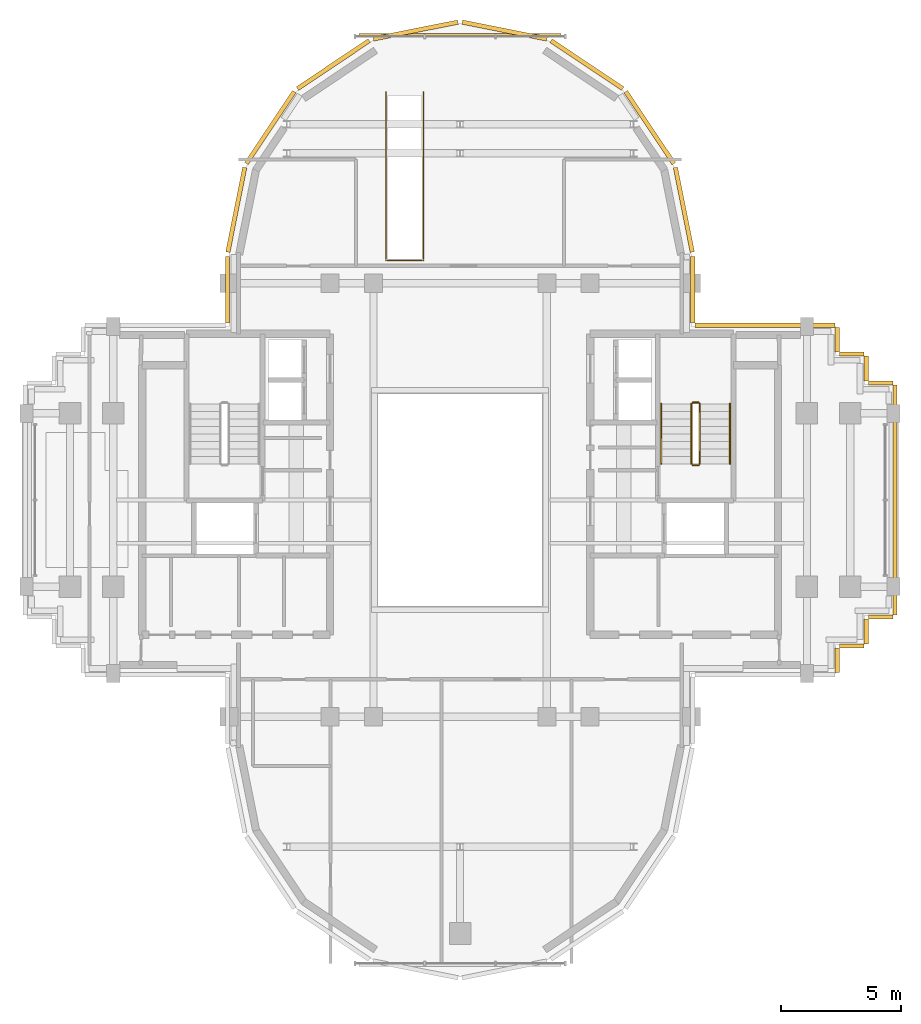
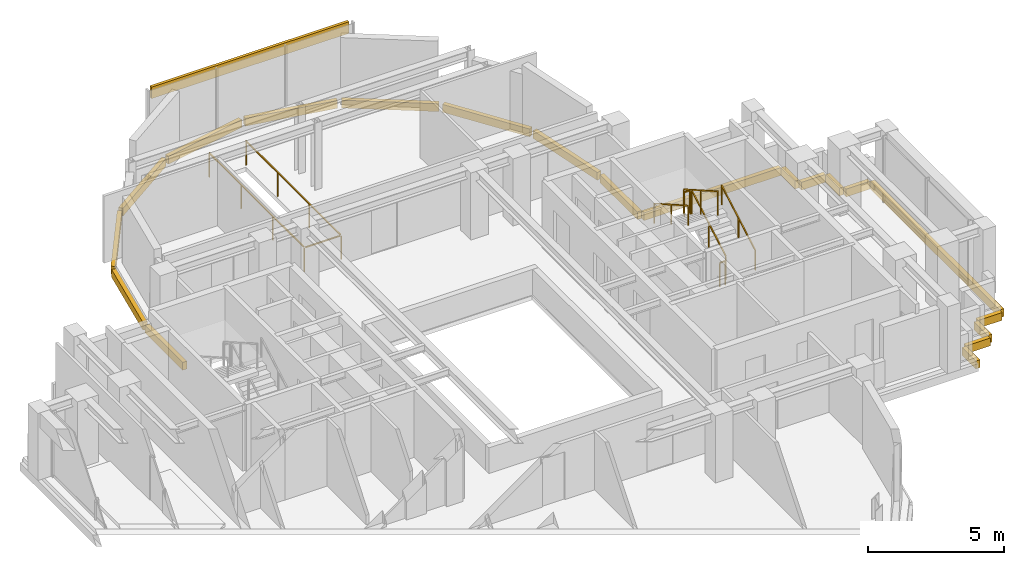
# One storey, part 12 of 12: 21 coverings, 7 railings.
"""IFC4 building model written with IfcOpenShell, lengths in metres."""

import ifcopenshell
import ifcopenshell.guid

model = None  # the IFC model being written
_history = None  # IfcOwnerHistory: only IFC2X3 demands one
_inside = {}  # id of a spatial element -> (the spatial element, [elements in it])
_under = {}  # id of a project, library or spatial element -> (it, [spatial elements below it])
_declared = {}  # id of a project -> (the project, [libraries it declares])
_typed = {}  # id of a type object -> (the type object, [elements of that type])
_made_of = {}  # id of a material, layer set ... -> (it, [elements and type objects made of it])


def new_model(schema):
    """Start an empty IFC model of exactly this schema.

    Asked for "IFC4X3", IfcOpenShell would pick the latest addendum, in which some entities
    have other attributes; the version numbers below select the first issue.
    IFC2X3 requires an IfcOwnerHistory on every rooted entity: one is made here for all.
    """
    global model, _history
    if schema == "IFC4X3":
        model = ifcopenshell.file(schema_version=(4, 3, 0, 0))
    else:
        model = ifcopenshell.file(schema=schema)
    _inside.clear()
    _under.clear()
    _declared.clear()
    _typed.clear()
    _made_of.clear()
    _history = None
    if model.schema == "IFC2X3":
        org = make("IfcOrganization", Name="unknown")
        user = make(
            "IfcPersonAndOrganization",
            ThePerson=make("IfcPerson", FamilyName="unknown"),
            TheOrganization=org,
        )
        app = make(
            "IfcApplication",
            ApplicationDeveloper=org,
            Version="unknown",
            ApplicationFullName="unknown",
            ApplicationIdentifier="unknown",
        )
        _history = make(
            "IfcOwnerHistory",
            OwningUser=user,
            OwningApplication=app,
            ChangeAction="ADDED",
            CreationDate=0,
        )
    return model


def make(cls, **values):
    """One entity of the class cls with the attributes given. An attribute that is None is left unset."""
    return model.create_entity(
        cls, **{name: value for name, value in values.items() if value is not None}
    )


def rooted(cls, **values):
    """An entity with a GlobalId (a new one), such as an element, a storey or a relation."""
    return make(cls, GlobalId=ifcopenshell.guid.new(), OwnerHistory=_history, **values)


def si_unit(unit_type, name, prefix=None):
    """IfcSIUnit, for example si_unit("LENGTHUNIT", "METRE", prefix="MILLI")."""
    return make("IfcSIUnit", UnitType=unit_type, Prefix=prefix, Name=name)


def assignment(units):
    """IfcUnitAssignment: the units of a project."""
    return None if units is None else make("IfcUnitAssignment", Units=units)


def point(xyz):
    """IfcCartesianPoint."""
    return None if xyz is None else make("IfcCartesianPoint", Coordinates=xyz)


def direction(xyz):
    """IfcDirection."""
    return None if xyz is None else make("IfcDirection", DirectionRatios=xyz)


def frame(location, z_axis=None, x_axis=None):
    """IfcAxis2Placement3D, a coordinate frame: its origin and axes. An axis left out is left unset."""
    return make(
        "IfcAxis2Placement3D",
        Location=point(location),
        Axis=direction(z_axis),
        RefDirection=direction(x_axis),
    )


def frame_2d(location, x_axis=None):
    """IfcAxis2Placement2D, a coordinate frame in the plane: its origin and x axis."""
    return make(
        "IfcAxis2Placement2D", Location=point(location), RefDirection=direction(x_axis)
    )


def origin():
    """The frame at (0, 0, 0) with its axes left unset."""
    return frame((0.0, 0.0, 0.0))


def origin_2d():
    """The frame at (0, 0) in the plane with its x axis left unset."""
    return frame_2d((0.0, 0.0))


def place(relative_to, where):
    """IfcLocalPlacement: puts the frame where relative to a parent placement (None: the world)."""
    return make(
        "IfcLocalPlacement", PlacementRelTo=relative_to, RelativePlacement=where
    )


def context(
    kind, dimensions, precision=None, world=None, true_north=None, identifier=None
):
    """IfcGeometricRepresentationContext, for example the 3D "Model" context."""
    return make(
        "IfcGeometricRepresentationContext",
        ContextIdentifier=identifier,
        ContextType=kind,
        CoordinateSpaceDimension=dimensions,
        Precision=precision,
        WorldCoordinateSystem=world,
        TrueNorth=true_north,
    )


def subcontext(parent, identifier, kind, view, scale=None):
    """IfcGeometricRepresentationSubContext, for example "Body" below "Model"."""
    return make(
        "IfcGeometricRepresentationSubContext",
        ContextIdentifier=identifier,
        ContextType=kind,
        ParentContext=parent,
        TargetScale=scale,
        TargetView=view,
    )


def project(units=None, contexts=None):
    """IfcProject with its units and contexts."""
    return rooted(
        "IfcProject",
        Name="project",
        RepresentationContexts=contexts,
        UnitsInContext=assignment(units),
    )


def spatial(cls, under=None, at=None, **own):
    """A site, building, storey or space (cls), placed at a placement, below another one or the project."""
    s = rooted(cls, ObjectPlacement=at, **own)
    if under is not None:
        _under.setdefault(under.id(), (under, []))[1].append(s)
    return s


def profile(cls, at=None, kind="AREA", **sizes):
    """A parametric profile (cls). Its sizes go by their IFC names, for example OverallWidth=200.0."""
    return make(cls, ProfileType=kind, Position=at, **sizes)


def rectangle(**sizes):
    """IfcRectangleProfileDef."""
    return profile("IfcRectangleProfileDef", **sizes)


def extrude(swept, where, along, depth):
    """IfcExtrudedAreaSolid: the profile swept, set in the frame where, extruded along a direction by depth."""
    return make(
        "IfcExtrudedAreaSolid",
        SweptArea=swept,
        Position=where,
        ExtrudedDirection=direction(along),
        Depth=depth,
    )


def shape(context_of_items, identifier, shape_type, items):
    """IfcShapeRepresentation: the items that make up one representation, for example the "Body"."""
    return make(
        "IfcShapeRepresentation",
        ContextOfItems=context_of_items,
        RepresentationIdentifier=identifier,
        RepresentationType=shape_type,
        Items=items,
    )


def source(mapping_origin, context_of_items, identifier, shape_type, items):
    """IfcRepresentationMap: a shape defined once, which mapped items show again and again."""
    return make(
        "IfcRepresentationMap",
        MappingOrigin=mapping_origin,
        MappedRepresentation=shape(context_of_items, identifier, shape_type, items),
    )


def transform(
    local_origin,
    x_axis=None,
    y_axis=None,
    z_axis=None,
    scale=None,
    scale2=None,
    scale3=None,
    uniform=True,
):
    """IfcCartesianTransformationOperator3D, or its non-uniform kind. x_axis, y_axis, z_axis: its Axis1, 2, 3."""
    if uniform:
        return make(
            "IfcCartesianTransformationOperator3D",
            Axis1=direction(x_axis),
            Axis2=direction(y_axis),
            LocalOrigin=point(local_origin),
            Scale=scale,
            Axis3=direction(z_axis),
        )
    return make(
        "IfcCartesianTransformationOperator3DnonUniform",
        Axis1=direction(x_axis),
        Axis2=direction(y_axis),
        LocalOrigin=point(local_origin),
        Scale=scale,
        Axis3=direction(z_axis),
        Scale2=scale2,
        Scale3=scale3,
    )


def mapped(mapping_source, mapping_target):
    """IfcMappedItem: shows the shape of a source again, moved by a transform."""
    return make(
        "IfcMappedItem", MappingSource=mapping_source, MappingTarget=mapping_target
    )


def material(Name=None, Category=None):
    """IfcMaterial."""
    return make("IfcMaterial", Name=Name, Category=Category)


def layer(
    of_material, thickness, ventilated=None, Name=None, Category=None, Priority=None
):
    """IfcMaterialLayer: one layer of a wall or slab, of a material (None: an air gap)."""
    return make(
        "IfcMaterialLayer",
        Material=of_material,
        LayerThickness=thickness,
        IsVentilated=ventilated,
        Name=Name,
        Category=Category,
        Priority=Priority,
    )


def layer_set(layers, Name=None):
    """IfcMaterialLayerSet."""
    return make("IfcMaterialLayerSet", MaterialLayers=layers, LayerSetName=Name)


def made_of(thing, what):
    """Note that an element or type object is made of a material, layer set ...; save() writes the relation."""
    if what is not None:
        _made_of.setdefault(what.id(), (what, []))[1].append(thing)
    return thing


def type_object(cls, material=None, **own):
    """A type object (cls), such as IfcWallType, which elements share."""
    return made_of(rooted(cls, **own), material)


def element(
    cls,
    number,
    at=None,
    inside=None,
    cuts=None,
    type_object=None,
    material=None,
    context=None,
    identifier="Body",
    shape_type=None,
    held_by="IfcProductDefinitionShape",
    body=None,
    shapes=None,
    **own,
):
    """One element of the class cls, such as IfcWall. Its Tag is "e" and its number.

    at: its placement. inside: the storey or other place that contains it. cuts: it is an
    opening in that element (IfcRelVoidsElement). A single representation is given by context,
    identifier, shape_type and body (its items); several are given by shapes. held_by: the class
    of the entity that holds the representations. save() writes the other relations.
    """
    e = rooted(cls, Tag="e%d" % number, ObjectPlacement=at, **own)
    if body is not None:
        shapes = [shape(context, identifier, shape_type, body)]
    if shapes is not None:
        e.Representation = make(held_by, Representations=shapes)
    if inside is not None:
        _inside.setdefault(inside.id(), (inside, []))[1].append(e)
    if cuts is not None:
        rooted(
            "IfcRelVoidsElement", RelatingBuildingElement=cuts, RelatedOpeningElement=e
        )
    if type_object is not None:
        _typed.setdefault(type_object.id(), (type_object, []))[1].append(e)
    return made_of(e, material)


def aggregate(whole, parts):
    """IfcRelAggregates: a whole, such as a stair, and the parts it consists of."""
    return rooted("IfcRelAggregates", RelatingObject=whole, RelatedObjects=parts)


def save(model, path):
    """Write the relations noted so far, then the file.

    IfcRelAggregates (storeys below a building ...), IfcRelContainedInSpatialStructure (elements
    in a storey), IfcRelDefinesByType, IfcRelAssociatesMaterial and IfcRelDeclares: one each for
    every whole, place, type object, material and project.
    """
    for whole, parts in _under.values():
        aggregate(whole, parts)
    for where, things in _inside.values():
        rooted(
            "IfcRelContainedInSpatialStructure",
            RelatedElements=things,
            RelatingStructure=where,
        )
    for kind, things in _typed.values():
        rooted("IfcRelDefinesByType", RelatedObjects=things, RelatingType=kind)
    for what, things in _made_of.values():
        rooted("IfcRelAssociatesMaterial", RelatedObjects=things, RelatingMaterial=what)
    for by, libraries in _declared.values():
        rooted("IfcRelDeclares", RelatingContext=by, RelatedDefinitions=libraries)
    model.write(path)


model = new_model("IFC4")

# Units and contexts
model_context = context("Model", 3, precision=1e-05, world=origin(), true_north=direction((0.0, 1.0)))
body_context = subcontext(model_context, "Body", "Model", "MODEL_VIEW")
ifc_project = project(units=[si_unit("LENGTHUNIT", "METRE"), si_unit("AREAUNIT", "SQUARE_METRE"), si_unit("VOLUMEUNIT", "CUBIC_METRE"), si_unit("PLANEANGLEUNIT", "RADIAN"), si_unit("MASSUNIT", "GRAM", prefix="KILO")], contexts=[model_context])

# Site, building, storey
site_placement = place(None, origin())
site = spatial("IfcSite", under=ifc_project, at=site_placement, CompositionType="ELEMENT")
building_placement = place(site_placement, origin())
building = spatial("IfcBuilding", under=site, at=building_placement, Name="Keilestroom Media Tower", CompositionType="ELEMENT")
storey_placement = place(building_placement, frame((0.0, 0.0, 223.60009765625)))
storey = spatial("IfcBuildingStorey", under=building, at=storey_placement, Name="L61", CompositionType="ELEMENT", Elevation=223.60009765625)

# Railings
ifc_material_1 = material(Name="Brushed Stainless Steel 1.4301", Category="steel")
railing_type_1 = type_object("IfcRailingType", Name="Stair-Pitch-Handrail-920", PredefinedType="HANDRAIL", material=ifc_material_1)
railing_1_placement = place(storey_placement, frame((11.2099609375, 1.5, 0.177734375)))
element("IfcRailing", 1, at=railing_1_placement, inside=storey, type_object=railing_type_1, Name="L61 ST-2 stair handrail 1", PredefinedType="HANDRAIL", context=body_context, shape_type="SweptSolid", body=[
    extrude(rectangle(XDim=0.048095703125, YDim=0.048095703125, at=origin_2d()), frame((0.0, 0.0, 0.8759765625), z_axis=(0.0, 0.868875238982, 0.495031129408), x_axis=(-1.0, 0.0, 0.0)), (0.0, 0.0, 1.0), 2.872802734375),
    extrude(rectangle(XDim=0.0419921875, YDim=0.0419921875, at=origin_2d()), origin(), (0.0, 0.0, 1.0), 0.84375),
    extrude(rectangle(XDim=0.0419921875, YDim=0.0419921875, at=origin_2d()), frame((0.0, 1.248046875, 0.7109375)), (0.0, 0.0, 1.0), 0.84375),
    extrude(rectangle(XDim=0.0419921875, YDim=0.0419921875, at=origin_2d()), frame((0.0, 2.49609375, 1.422119140625)), (0.0, 0.0, 1.0), 0.84375),
])
railing_2_placement = place(storey_placement, frame((8.35009765625, 3.99609375, 1.777587890625)))
element("IfcRailing", 2, at=railing_2_placement, inside=storey, type_object=railing_type_1, Name="L61 ST-2 stair handrail 2", PredefinedType="HANDRAIL", context=body_context, shape_type="SweptSolid", body=[
    extrude(rectangle(XDim=0.048095703125, YDim=0.048095703125, at=origin_2d()), frame((0.0, 0.0, 0.8759765625), z_axis=(0.0, -0.868838684858, 0.495095283449), x_axis=(1.0, 0.0, 0.0)), (0.0, 0.0, 1.0), 2.872802734375),
    extrude(rectangle(XDim=0.0419921875, YDim=0.0419921875, at=origin_2d()), origin(), (0.0, 0.0, 1.0), 0.84375),
    extrude(rectangle(XDim=0.0419921875, YDim=0.0419921875, at=origin_2d()), frame((0.0, -1.248046875, 0.711181640625)), (0.0, 0.0, 1.0), 0.84375),
    extrude(rectangle(XDim=0.0419921875, YDim=0.0419921875, at=origin_2d()), frame((0.0, -2.49609375, 1.42236328125)), (0.0, 0.0, 1.0), 0.84375),
])
ifc_material_2 = material(Name="Painted Steel Balustrade", Category="steel")
railing_type_2 = type_object("IfcRailingType", Name="Stair-Well-And-Landing-Guard-1100", PredefinedType="GUARDRAIL", material=ifc_material_2)
railing_3_placement = place(storey_placement, frame((9.949951171875, 1.5, 0.177734375)))
element("IfcRailing", 3, at=railing_3_placement, inside=storey, type_object=railing_type_2, Name="L61 ST-2 stair guard 1", PredefinedType="GUARDRAIL", context=body_context, shape_type="SweptSolid", body=[
    extrude(rectangle(XDim=0.048095703125, YDim=0.048095703125, at=origin_2d()), frame((0.0, 0.0, 1.076171875), z_axis=(0.0, 0.868875238982, 0.495031129408), x_axis=(-1.0, 0.0, 0.0)), (0.0, 0.0, 1.0), 2.872802734375),
    extrude(rectangle(XDim=0.0419921875, YDim=0.0419921875, at=origin_2d()), origin(), (0.0, 0.0, 1.0), 1.0439453125),
    extrude(rectangle(XDim=0.0419921875, YDim=0.0419921875, at=origin_2d()), frame((0.0, 1.248046875, 0.7109375)), (0.0, 0.0, 1.0), 1.0439453125),
    extrude(rectangle(XDim=0.0419921875, YDim=0.0419921875, at=origin_2d()), frame((0.0, 2.49609375, 1.422119140625)), (0.0, 0.0, 1.0), 1.0439453125),
])
railing_4_placement = place(storey_placement, frame((9.89990234375, 4.0458984375, 1.599853515625)))
element("IfcRailing", 4, at=railing_4_placement, inside=storey, type_object=railing_type_2, Name="L61 ST-2 stair guard 2", PredefinedType="GUARDRAIL", context=body_context, shape_type="SweptSolid", body=[
    extrude(rectangle(XDim=0.048095703125, YDim=0.048095703125, at=origin_2d()), frame((0.0, 0.0, 1.076171875), z_axis=(-1.0, 0.0, 0.0), x_axis=(0.0, -1.0, 0.0)), (0.0, 0.0, 1.0), 0.239990234375),
    extrude(rectangle(XDim=0.0419921875, YDim=0.0419921875, at=origin_2d()), origin(), (0.0, 0.0, 1.0), 1.0439453125),
    extrude(rectangle(XDim=0.0419921875, YDim=0.0419921875, at=origin_2d()), frame((-0.239990234375, 0.0, 0.0)), (0.0, 0.0, 1.0), 1.0439453125),
])
railing_5_placement = place(storey_placement, frame((9.610107421875, 3.99609375, 1.777587890625)))
element("IfcRailing", 5, at=railing_5_placement, inside=storey, type_object=railing_type_2, Name="L61 ST-2 stair guard 3", PredefinedType="GUARDRAIL", context=body_context, shape_type="SweptSolid", body=[
    extrude(rectangle(XDim=0.048095703125, YDim=0.048095703125, at=origin_2d()), frame((0.0, 0.0, 1.076171875), z_axis=(0.0, -0.868838684858, 0.495095283449), x_axis=(1.0, 0.0, 0.0)), (0.0, 0.0, 1.0), 2.872802734375),
    extrude(rectangle(XDim=0.0419921875, YDim=0.0419921875, at=origin_2d()), origin(), (0.0, 0.0, 1.0), 1.0439453125),
    extrude(rectangle(XDim=0.0419921875, YDim=0.0419921875, at=origin_2d()), frame((0.0, -1.248046875, 0.711181640625)), (0.0, 0.0, 1.0), 1.0439453125),
    extrude(rectangle(XDim=0.0419921875, YDim=0.0419921875, at=origin_2d()), frame((0.0, -2.49609375, 1.42236328125)), (0.0, 0.0, 1.0), 1.0439453125),
])
railing_6_placement = place(storey_placement, frame((9.89990234375, 1.449951171875, 0.0)))
element("IfcRailing", 6, at=railing_6_placement, inside=storey, type_object=railing_type_2, Name="L61 ST-2 stair guard 4", PredefinedType="GUARDRAIL", context=body_context, shape_type="SweptSolid", body=[
    extrude(rectangle(XDim=0.048095703125, YDim=0.048095703125, at=origin_2d()), frame((0.0, 0.0, 1.076171875), z_axis=(-1.0, 0.0, 0.0), x_axis=(0.0, -1.0, 0.0)), (0.0, 0.0, 1.0), 0.239990234375),
    extrude(rectangle(XDim=0.0419921875, YDim=0.0419921875, at=origin_2d()), origin(), (0.0, 0.0, 1.0), 1.0439453125),
    extrude(rectangle(XDim=0.0419921875, YDim=0.0419921875, at=origin_2d()), frame((-0.239990234375, 0.0, 0.0)), (0.0, 0.0, 1.0), 1.0439453125),
])
railing_7_placement = place(storey_placement, frame((-3.080078125, 16.93505859375, 0.0)))
element("IfcRailing", 7, at=railing_7_placement, inside=storey, type_object=railing_type_2, Name="ST-F1 Top Well Guard", PredefinedType="GUARDRAIL", context=body_context, shape_type="SweptSolid", body=[
    extrude(rectangle(XDim=0.048095703125, YDim=0.048095703125, at=origin_2d()), frame((0.0, 0.0, 1.076171875), z_axis=(0.0, -1.0, 0.0), x_axis=(1.0, 0.0, 0.0)), (0.0, 0.0, 1.0), 6.947021484375),
    extrude(rectangle(XDim=0.048095703125, YDim=0.048095703125, at=origin_2d()), frame((0.048095703125, -6.9951171875, 1.076171875), z_axis=(1.0, 0.0, 0.0), x_axis=(0.0, 1.0, 0.0)), (0.0, 0.0, 1.0), 1.4638671875),
    extrude(rectangle(XDim=0.048095703125, YDim=0.048095703125, at=origin_2d()), frame((1.56005859375, -6.947021484375, 1.076171875), z_axis=(0.0, 1.0, 0.0), x_axis=(-1.0, 0.0, 0.0)), (0.0, 0.0, 1.0), 6.947021484375),
    extrude(rectangle(XDim=0.0419921875, YDim=0.0419921875, at=origin_2d()), origin(), (0.0, 0.0, 1.0), 1.0439453125),
    extrude(rectangle(XDim=0.0419921875, YDim=0.0419921875, at=origin_2d()), frame((0.0, -2.331787109375, 0.0)), (0.0, 0.0, 1.0), 1.0439453125),
    extrude(rectangle(XDim=0.0419921875, YDim=0.0419921875, at=origin_2d()), frame((0.0, -4.663330078125, 0.0)), (0.0, 0.0, 1.0), 1.0439453125),
    extrude(rectangle(XDim=0.0419921875, YDim=0.0419921875, at=origin_2d()), frame((0.0, -6.9951171875, 0.0)), (0.0, 0.0, 1.0), 1.0439453125),
    extrude(rectangle(XDim=0.0419921875, YDim=0.0419921875, at=origin_2d()), frame((1.56005859375, -6.9951171875, 0.0)), (0.0, 0.0, 1.0), 1.0439453125),
    extrude(rectangle(XDim=0.0419921875, YDim=0.0419921875, at=origin_2d()), frame((1.56005859375, -4.663330078125, 0.0)), (0.0, 0.0, 1.0), 1.0439453125),
    extrude(rectangle(XDim=0.0419921875, YDim=0.0419921875, at=origin_2d()), frame((1.56005859375, -2.331787109375, 0.0)), (0.0, 0.0, 1.0), 1.0439453125),
    extrude(rectangle(XDim=0.0419921875, YDim=0.0419921875, at=origin_2d()), frame((1.56005859375, 0.0, 0.0)), (0.0, 0.0, 1.0), 1.0439453125),
])

# Coverings
ifc_material_3 = material(Name="Precast concrete C40/50", Category="concrete")
ifc_layer = layer(ifc_material_3, 0.1201171875)
ifc_layer_set = layer_set([ifc_layer], Name="Precast concrete C40/50")
covering_type = type_object("IfcCoveringType", Name="Exterior-Precast-Spandrel-Cladding-Panel-120", PredefinedType="CLADDING", material=ifc_layer_set)
shared_shape_1 = source(origin(), body_context, "Body", "SweptSolid", [
    extrude(rectangle(XDim=8.39990234375, YDim=0.1201171875, at=origin_2d()), origin(), (0.0, 0.0, 1.0), 0.52001953125),
])
covering_1_placement = place(storey_placement, frame((0.0, 19.320068359375, 2.5), z_axis=(0.0, 0.0, 1.0), x_axis=(1.0, 0.0, 0.0)))
element("IfcCovering", 8, at=covering_1_placement, inside=storey, type_object=covering_type, Name="L61 Precast Spandrel Cladding N", PredefinedType="CLADDING", context=body_context, shape_type="MappedRepresentation", body=[
    mapped(shared_shape_1, transform((0.0, 0.0, 0.0), x_axis=(1.0, 0.0, 0.0), y_axis=(0.0, 1.0, 0.0), z_axis=(0.0, 0.0, 1.0), scale=1.0)),
])
shared_shape_2 = source(origin(), body_context, "Body", "SweptSolid", [
    extrude(rectangle(XDim=1.02001953125, YDim=0.179931640625, at=origin_2d()), origin(), (0.0, 0.0, 1.0), 0.35009765625),
])
for number, where, z_axis, x_axis, name in (
    (9, (17.4599609375, -4.860107421875, -0.530029296875), (0.0, 0.0, 1.0), (-1.0, 0.0, 0.0), "L61 Precast Slab-Edge Fascia Cornice 01"),
    (10, (16.860107421875, -5.4599609375, -0.530029296875), (0.0, 0.0, 1.0), (0.0, -1.0, 0.0), "L61 Precast Slab-Edge Fascia Cornice 02"),
    (11, (16.260009765625, -6.06005859375, -0.530029296875), (0.0, 0.0, 1.0), (-1.0, 0.0, 0.0), "L61 Precast Slab-Edge Fascia Cornice 03"),
    (12, (15.659912109375, -6.659912109375, -0.530029296875), (0.0, 0.0, 1.0), (0.0, -1.0, 0.0), "L61 Precast Slab-Edge Fascia Cornice 04"),
    (13, (15.659912109375, 6.659912109375, -0.530029296875), (0.0, 0.0, 1.0), (0.0, -1.0, 0.0), "L61 Precast Slab-Edge Fascia Cornice 38"),
    (14, (16.260009765625, 6.06005859375, -0.530029296875), (0.0, 0.0, 1.0), (1.0, 0.0, 0.0), "L61 Precast Slab-Edge Fascia Cornice 39"),
    (15, (16.860107421875, 5.4599609375, -0.530029296875), (0.0, 0.0, 1.0), (0.0, -1.0, 0.0), "L61 Precast Slab-Edge Fascia Cornice 40"),
    (16, (17.4599609375, 4.860107421875, -0.530029296875), (0.0, 0.0, 1.0), (1.0, 0.0, 0.0), "L61 Precast Slab-Edge Fascia Cornice 41"),
):
    element("IfcCovering", number, at=place(storey_placement, frame(where, z_axis=z_axis, x_axis=x_axis)), inside=storey, type_object=covering_type, Name=name, PredefinedType="CLADDING", context=body_context, shape_type="MappedRepresentation", body=[
        mapped(shared_shape_2, transform((0.0, 0.0, 0.0), x_axis=(1.0, 0.0, 0.0), y_axis=(0.0, 1.0, 0.0), z_axis=(0.0, 0.0, 1.0), scale=1.0)),
    ])
shared_shape_3 = source(origin(), body_context, "Body", "SweptSolid", [
    extrude(rectangle(XDim=5.820068359375, YDim=0.179931640625, at=origin_2d()), origin(), (0.0, 0.0, 1.0), 0.35009765625),
])
covering_2_placement = place(storey_placement, frame((12.659912109375, 7.260009765625, -0.530029296875), z_axis=(0.0, 0.0, 1.0), x_axis=(1.0, 0.0, 0.0)))
element("IfcCovering", 17, at=covering_2_placement, inside=storey, type_object=covering_type, Name="L61 Precast Slab-Edge Fascia Cornice 37", PredefinedType="CLADDING", context=body_context, shape_type="MappedRepresentation", body=[
    mapped(shared_shape_3, transform((0.0, 0.0, 0.0), x_axis=(1.0, 0.0, 0.0), y_axis=(0.0, 1.0, 0.0), z_axis=(0.0, 0.0, 1.0), scale=1.0)),
])
shared_shape_4 = source(origin(), body_context, "Body", "SweptSolid", [
    extrude(rectangle(XDim=2.765869140625, YDim=0.179931640625, at=origin_2d()), origin(), (0.0, 0.0, 1.0), 0.35009765625),
])
for number, where, z_axis, x_axis, name in (
    (18, (-9.659912109375, 8.73291015625, -0.530029296875), (0.0, 0.0, 1.0), (0.0, 1.0, 0.0), "L61 Precast Slab-Edge Fascia Cornice 27"),
    (19, (9.659912109375, 8.73291015625, -0.530029296875), (0.0, 0.0, 1.0), (0.0, -1.0, 0.0), "L61 Precast Slab-Edge Fascia Cornice 36"),
):
    element("IfcCovering", number, at=place(storey_placement, frame(where, z_axis=z_axis, x_axis=x_axis)), inside=storey, type_object=covering_type, Name=name, PredefinedType="CLADDING", context=body_context, shape_type="MappedRepresentation", body=[
        mapped(shared_shape_4, transform((0.0, 0.0, 0.0), x_axis=(1.0, 0.0, 0.0), y_axis=(0.0, 1.0, 0.0), z_axis=(0.0, 0.0, 1.0), scale=1.0)),
    ])
shared_shape_5 = source(origin(), body_context, "Body", "SweptSolid", [
    extrude(rectangle(XDim=3.58349609375, YDim=0.179931640625, at=origin_2d()), origin(), (0.0, 0.0, 1.0), 0.35009765625),
])
for number, where, z_axis, x_axis, name in (
    (20, (-9.29296875, 12.051513671875, -0.530029296875), (0.0, 0.0, 1.0), (0.195098880975, 0.980783577882, 0.0), "L61 Precast Slab-Edge Fascia Cornice 28"),
    (21, (9.29296875, 12.051513671875, -0.530029296875), (0.0, 0.0, 1.0), (0.195098880975, -0.980783577882, 0.0), "L61 Precast Slab-Edge Fascia Cornice 35"),
):
    element("IfcCovering", number, at=place(storey_placement, frame(where, z_axis=z_axis, x_axis=x_axis)), inside=storey, type_object=covering_type, Name=name, PredefinedType="CLADDING", context=body_context, shape_type="MappedRepresentation", body=[
        mapped(shared_shape_5, transform((0.0, 0.0, 0.0), x_axis=(1.0, 0.0, 0.0), y_axis=(0.0, 1.0, 0.0), z_axis=(0.0, 0.0, 1.0), scale=1.0)),
    ])
shared_shape_6 = source(origin(), body_context, "Body", "SweptSolid", [
    extrude(rectangle(XDim=3.589599609375, YDim=0.179931640625, at=origin_2d()), origin(), (0.0, 0.0, 1.0), 0.35009765625),
])
for number, where, z_axis, x_axis, name in (
    (22, (-7.878662109375, 15.46435546875, -0.530029296875), (0.0, 0.0, 1.0), (0.555574586577, 0.831466703332, 0.0), "L61 Precast Slab-Edge Fascia Cornice 29"),
    (23, (-5.264404296875, 18.07861328125, -0.530029296875), (0.0, 0.0, 1.0), (0.831466703332, 0.555574586577, 0.0), "L61 Precast Slab-Edge Fascia Cornice 30"),
    (24, (-1.8486328125, 19.493408203125, -0.530029296875), (0.0, 0.0, 1.0), (0.980783577882, 0.195098880975, 0.0), "L61 Precast Slab-Edge Fascia Cornice 31"),
    (25, (1.8486328125, 19.493408203125, -0.530029296875), (0.0, 0.0, 1.0), (0.980783577882, -0.195098880975, 0.0), "L61 Precast Slab-Edge Fascia Cornice 32"),
    (26, (5.264404296875, 18.07861328125, -0.530029296875), (0.0, 0.0, 1.0), (0.831466703332, -0.555574586577, 0.0), "L61 Precast Slab-Edge Fascia Cornice 33"),
    (27, (7.878662109375, 15.46435546875, -0.530029296875), (0.0, 0.0, 1.0), (0.555574586577, -0.831466703332, 0.0), "L61 Precast Slab-Edge Fascia Cornice 34"),
):
    element("IfcCovering", number, at=place(storey_placement, frame(where, z_axis=z_axis, x_axis=x_axis)), inside=storey, type_object=covering_type, Name=name, PredefinedType="CLADDING", context=body_context, shape_type="MappedRepresentation", body=[
        mapped(shared_shape_6, transform((0.0, 0.0, 0.0), x_axis=(1.0, 0.0, 0.0), y_axis=(0.0, 1.0, 0.0), z_axis=(0.0, 0.0, 1.0), scale=1.0)),
    ])
shared_shape_7 = source(origin(), body_context, "Body", "SweptSolid", [
    extrude(rectangle(XDim=9.5400390625, YDim=0.179931640625, at=origin_2d()), origin(), (0.0, 0.0, 1.0), 0.35009765625),
])
covering_3_placement = place(storey_placement, frame((18.06005859375, 0.0, -0.530029296875), z_axis=(0.0, 0.0, 1.0), x_axis=(0.0, -1.0, 0.0)))
element("IfcCovering", 28, at=covering_3_placement, inside=storey, type_object=covering_type, Name="L61 Precast Slab-Edge Fascia Cornice 42", PredefinedType="CLADDING", context=body_context, shape_type="MappedRepresentation", body=[
    mapped(shared_shape_7, transform((0.0, 0.0, 0.0), x_axis=(1.0, 0.0, 0.0), y_axis=(0.0, 1.0, 0.0), z_axis=(0.0, 0.0, 1.0), scale=1.0)),
])

save(model, "model.ifc")
